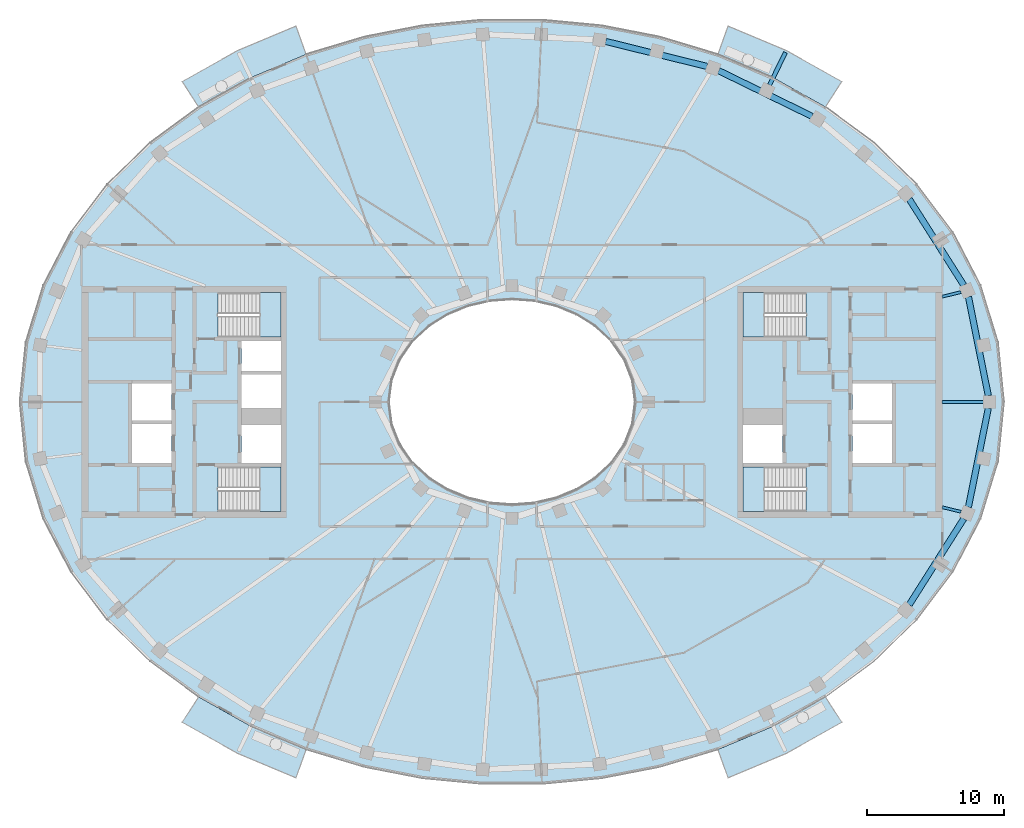
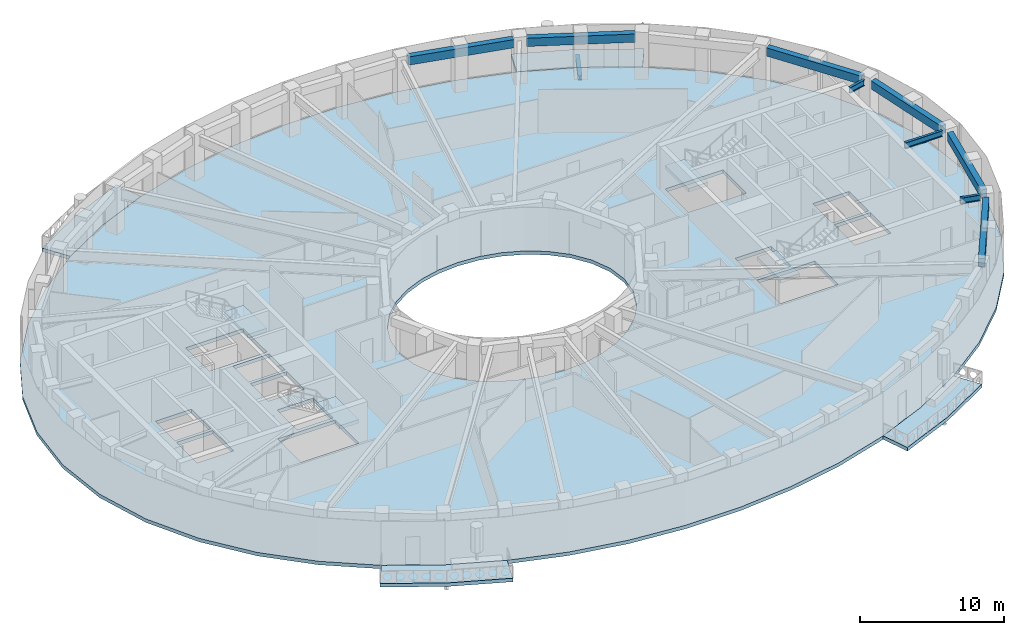
# One storey, part 2 of 15: 10 beams, 9 slabs, 4 elements without a shape of their own.
"""IFC4 building model written with IfcOpenShell, lengths in metres."""

from ifc_helpers import new_model, si_unit, direction, frame, origin, origin_2d, place, context, subcontext, project, spatial, polyline, rectangle, i_section, outline, extrude, material, layer, layer_set, material_profile, profile_set, type_object, element, aggregate, save


model = new_model("IFC4")

# Units and contexts
model_context = context("Model", 3, precision=1e-05, world=origin(), true_north=direction((0.0, 1.0)))
body_context = subcontext(model_context, "Body", "Model", "MODEL_VIEW")
ifc_project = project(units=[si_unit("LENGTHUNIT", "METRE"), si_unit("AREAUNIT", "SQUARE_METRE"), si_unit("VOLUMEUNIT", "CUBIC_METRE"), si_unit("PLANEANGLEUNIT", "RADIAN"), si_unit("MASSUNIT", "GRAM", prefix="KILO")], contexts=[model_context])

# Site, building, storey
site_placement = place(None, origin())
site = spatial("IfcSite", under=ifc_project, at=site_placement, CompositionType="ELEMENT")
building_placement = place(site_placement, origin())
building = spatial("IfcBuilding", under=site, at=building_placement, Name="Noorbagh Ring Tower", CompositionType="ELEMENT")
storey_placement = place(building_placement, frame((0.0, 0.0, 307.0)))
storey = spatial("IfcBuildingStorey", under=building, at=storey_placement, Name="L66", CompositionType="ELEMENT", Elevation=307.0)

# Beams
ifc_material_1 = material(Name="Steel S355", Category="steel")
ifc_material_profile_1 = material_profile(ifc_material_1, i_section(OverallWidth=0.300048828125, OverallDepth=0.39990234375, WebThickness=0.013427734375, FlangeThickness=0.02392578125, FilletRadius=0.027099609375, at=origin_2d()), Name="HEB400")
ifc_profile_set_1 = profile_set([ifc_material_profile_1], Name="Steel S355")
beam_type_1 = type_object("IfcBeamType", Name="STR-BALCONY-BRACKET-HEB400", PredefinedType="BEAM", material=ifc_profile_set_1)
beam_1_placement = place(storey_placement, frame((18.84619140625, 23.194091796875, -0.5), z_axis=(0.439236567713, 0.898371436313, 0.0), x_axis=(-0.898371436313, 0.439236567713, 0.0)))
element("IfcBeam", 1, at=beam_1_placement, inside=storey, type_object=beam_type_1, Name="Balcony bracket beam BN02", PredefinedType="BEAM", context=body_context, shape_type="SweptSolid", body=[
    extrude(i_section(OverallWidth=0.300048828125, OverallDepth=0.39990234375, WebThickness=0.013427734375, FlangeThickness=0.02392578125, FilletRadius=0.027099609375, at=origin_2d()), origin(), (0.0, 0.0, 1.0), 2.650146484375),
])
ifc_material_2 = material(Name="Steel S355", Category="steel")
ifc_material_profile_2 = material_profile(ifc_material_2, i_section(OverallWidth=0.199951171875, OverallDepth=0.5, WebThickness=0.01025390625, FlangeThickness=0.01611328125, FilletRadius=0.02099609375, at=origin_2d()), Name="IPE500")
ifc_profile_set_2 = profile_set([ifc_material_profile_2], Name="Steel S355")
beam_type_2 = type_object("IfcBeamType", Name="STR-RAD-IPE500", PredefinedType="BEAM", material=ifc_profile_set_2)
beam_2_placement = place(storey_placement, frame((34.48974609375, 0.0, 3.449951171875), z_axis=(-1.0, 0.0, 0.0), x_axis=(0.0, -1.0, 0.0)))
element("IfcBeam", 2, at=beam_2_placement, inside=storey, type_object=beam_type_2, Name="L66/bm/RD01", PredefinedType="BEAM", context=body_context, shape_type="SweptSolid", body=[
    extrude(i_section(OverallWidth=0.199951171875, OverallDepth=0.5, WebThickness=0.01025390625, FlangeThickness=0.01611328125, FilletRadius=0.02099609375, at=origin_2d()), origin(), (0.0, 0.0, 1.0), 3.009765625),
])
for number, where, z_axis, x_axis, name in (
    (3, (32.858154296875, 8.0400390625, 3.449951171875), (-0.971335445274, -0.237712962949, 0.0), (0.237712962949, -0.971335445274, 0.0), "L66/bm/RD03"),
    (4, (32.858154296875, -8.0400390625, 3.449951171875), (-0.971335445274, 0.237712962949, 0.0), (-0.237712962949, -0.971335445274, 0.0), "L66/bm/RD45"),
):
    element("IfcBeam", number, at=place(storey_placement, frame(where, z_axis=z_axis, x_axis=x_axis)), inside=storey, type_object=beam_type_2, Name=name, PredefinedType="BEAM", context=body_context, shape_type="SweptSolid", body=[
        extrude(i_section(OverallWidth=0.199951171875, OverallDepth=0.5, WebThickness=0.01025390625, FlangeThickness=0.01611328125, FilletRadius=0.02099609375, at=origin_2d()), origin(), (0.0, 0.0, 1.0), 1.41845703125),
    ])
ifc_material_3 = material(Name="Concrete C40/50", Category="concrete")
ifc_material_profile_3 = material_profile(ifc_material_3, rectangle(XDim=0.449951171875, YDim=0.699951171875, at=origin_2d()), Name="RC450x700")
ifc_profile_set_3 = profile_set([ifc_material_profile_3], Name="Concrete C40/50")
beam_type_3 = type_object("IfcBeamType", Name="STR-SB-RC450x700-C40-50", PredefinedType="BEAM", material=ifc_profile_set_3)
beam_3_placement = place(storey_placement, frame((34.85302734375, 0.455322265625, 3.35009765625), z_axis=(-0.197209573264, 0.980361353896, 0.0), x_axis=(-0.980361353896, -0.197209573264, 0.0)))
element("IfcBeam", 5, at=beam_3_placement, inside=storey, type_object=beam_type_3, Name="L66/bm/SP01", PredefinedType="BEAM", context=body_context, shape_type="SweptSolid", body=[
    extrude(rectangle(XDim=0.449951171875, YDim=0.699951171875, at=origin_2d()), origin(), (0.0, 0.0, 1.0), 7.384521484375),
])
beam_4_placement = place(storey_placement, frame((33.0576171875, 8.5400390625, 3.35009765625), z_axis=(-0.535175885378, 0.84474065352, 0.0), x_axis=(-0.84474065352, -0.535175885378, 0.0)))
element("IfcBeam", 6, at=beam_4_placement, inside=storey, type_object=beam_type_3, Name="L66/bm/SP03", PredefinedType="BEAM", context=body_context, shape_type="SweptSolid", body=[
    extrude(rectangle(XDim=0.449951171875, YDim=0.699951171875, at=origin_2d()), origin(), (0.0, 0.0, 1.0), 7.459228515625),
])
beam_5_placement = place(storey_placement, frame((21.9501953125, 20.9013671875, 3.35009765625), z_axis=(-0.898405762579, 0.43916635318, 0.0), x_axis=(-0.43916635318, -0.898405762579, 0.0)))
element("IfcBeam", 7, at=beam_5_placement, inside=storey, type_object=beam_type_3, Name="L66/bm/SP07", PredefinedType="BEAM", context=body_context, shape_type="SweptSolid", body=[
    extrude(rectangle(XDim=0.449951171875, YDim=0.699951171875, at=origin_2d()), origin(), (0.0, 0.0, 1.0), 7.6015625),
])
beam_6_placement = place(storey_placement, frame((14.265380859375, 24.550537109375, 3.35009765625), z_axis=(-0.970830763324, 0.239765779427, 0.0), x_axis=(-0.239765779427, -0.970830763324, 0.0)))
element("IfcBeam", 8, at=beam_6_placement, inside=storey, type_object=beam_type_3, Name="L66/bm/SP09", PredefinedType="BEAM", context=body_context, shape_type="SweptSolid", body=[
    extrude(rectangle(XDim=0.449951171875, YDim=0.699951171875, at=origin_2d()), origin(), (0.0, 0.0, 1.0), 7.634765625),
])
beam_7_placement = place(storey_placement, frame((29.065673828125, -14.841064453125, 3.35009765625), z_axis=(0.535175885378, 0.84474065352, 0.0), x_axis=(-0.84474065352, 0.535175885378, 0.0)))
element("IfcBeam", 9, at=beam_7_placement, inside=storey, type_object=beam_type_3, Name="L66/bm/SP43", PredefinedType="BEAM", context=body_context, shape_type="SweptSolid", body=[
    extrude(rectangle(XDim=0.449951171875, YDim=0.699951171875, at=origin_2d()), origin(), (0.0, 0.0, 1.0), 7.459228515625),
])
beam_8_placement = place(storey_placement, frame((33.396728515625, -7.69482421875, 3.35009765625), z_axis=(0.197209573264, 0.980361353896, 0.0), x_axis=(-0.980361353896, 0.197209573264, 0.0)))
element("IfcBeam", 10, at=beam_8_placement, inside=storey, type_object=beam_type_3, Name="L66/bm/SP45", PredefinedType="BEAM", context=body_context, shape_type="SweptSolid", body=[
    extrude(rectangle(XDim=0.449951171875, YDim=0.699951171875, at=origin_2d()), origin(), (0.0, 0.0, 1.0), 7.384521484375),
])

# Stair, slab
ifc_material_4 = material(Name="Concrete C40/50", Category="concrete")
stair_type = type_object("IfcStairType", Name="CORE-STAIR", PredefinedType="HALF_TURN_STAIR", material=ifc_material_4)
stair_1_placement = place(storey_placement, origin())
stair_1 = element("IfcStair", 11, at=stair_1_placement, inside=storey, type_object=stair_type, Name="L66 Exit stair ST1", PredefinedType="HALF_TURN_STAIR")
ifc_material_5 = material(Name="Concrete C40/50", Category="concrete")
ifc_layer_1 = layer(ifc_material_5, 0.300048828125)
ifc_layer_set_1 = layer_set([ifc_layer_1], Name="Concrete C40/50")
slab_type_1 = type_object("IfcSlabType", Name="CORE-STAIR-LANDING", PredefinedType="LANDING", material=ifc_layer_set_1)
slab_1_placement = place(storey_placement, frame((0.0, 0.0, 1.699951171875)))
slab_1 = element("IfcSlab", 12, at=slab_1_placement, type_object=slab_type_1, Name="ST1 landing 1", PredefinedType="LANDING", context=body_context, shape_type="SweptSolid", body=[
    extrude(outline(polyline([(-18.449951171875, 4.75), (-16.89990234375, 4.75), (-16.89990234375, 8.0), (-18.449951171875, 8.0), (-18.449951171875, 4.75)])), origin(), (0.0, 0.0, 1.0), 0.300048828125),
])
aggregate(stair_1, [slab_1])

stair_2_placement = place(storey_placement, origin())
stair_2 = element("IfcStair", 13, at=stair_2_placement, inside=storey, type_object=stair_type, Name="L66 Exit stair ST2", PredefinedType="HALF_TURN_STAIR")
slab_2_placement = place(storey_placement, frame((0.0, 0.0, 1.699951171875)))
slab_2 = element("IfcSlab", 14, at=slab_2_placement, type_object=slab_type_1, Name="ST2 landing 1", PredefinedType="LANDING", context=body_context, shape_type="SweptSolid", body=[
    extrude(outline(polyline([(-18.449951171875, -8.0), (-16.89990234375, -8.0), (-16.89990234375, -4.75), (-18.449951171875, -4.75), (-18.449951171875, -8.0)])), origin(), (0.0, 0.0, 1.0), 0.300048828125),
])
aggregate(stair_2, [slab_2])

stair_3_placement = place(storey_placement, origin())
stair_3 = element("IfcStair", 15, at=stair_3_placement, inside=storey, type_object=stair_type, Name="L66 Exit stair ST3", PredefinedType="HALF_TURN_STAIR")
slab_3_placement = place(storey_placement, frame((0.0, 0.0, 1.699951171875)))
slab_3 = element("IfcSlab", 16, at=slab_3_placement, type_object=slab_type_1, Name="ST3 landing 1", PredefinedType="LANDING", context=body_context, shape_type="SweptSolid", body=[
    extrude(outline(polyline([(18.449951171875, 8.0), (16.89990234375, 8.0), (16.89990234375, 4.75), (18.449951171875, 4.75), (18.449951171875, 8.0)])), origin(), (0.0, 0.0, 1.0), 0.300048828125),
])
aggregate(stair_3, [slab_3])

stair_4_placement = place(storey_placement, origin())
stair_4 = element("IfcStair", 17, at=stair_4_placement, inside=storey, type_object=stair_type, Name="L66 Exit stair ST4", PredefinedType="HALF_TURN_STAIR")
slab_4_placement = place(storey_placement, frame((0.0, 0.0, 1.699951171875)))
slab_4 = element("IfcSlab", 18, at=slab_4_placement, type_object=slab_type_1, Name="ST4 landing 1", PredefinedType="LANDING", context=body_context, shape_type="SweptSolid", body=[
    extrude(outline(polyline([(18.449951171875, -4.75), (16.89990234375, -4.75), (16.89990234375, -8.0), (18.449951171875, -8.0), (18.449951171875, -4.75)])), origin(), (0.0, 0.0, 1.0), 0.300048828125),
])
aggregate(stair_4, [slab_4])

# Slabs
ifc_material_6 = material(Name="Concrete C40/50", Category="concrete")
ifc_layer_2 = layer(ifc_material_6, 0.300048828125)
ifc_layer_set_2 = layer_set([ifc_layer_2], Name="Concrete C40/50")
slab_type_2 = type_object("IfcSlabType", Name="ENV-BALCONY DECK 300", PredefinedType="FLOOR", material=ifc_layer_set_2)
slab_5_placement = place(storey_placement, frame((0.0, 0.0, -0.300048828125)))
element("IfcSlab", 19, at=slab_5_placement, inside=storey, type_object=slab_type_2, Name="Tree balcony deck BN02", PredefinedType="FLOOR", context=body_context, shape_type="SweptSolid", body=[
    extrude(outline(polyline([(24.1279296875, 23.435791015625), (20.076171875, 25.709716796875), (15.810791015625, 27.50341796875), (15.0654296875, 25.430419921875), (19.108154296875, 23.730224609375), (22.9326171875, 21.583740234375), (24.1279296875, 23.435791015625)])), origin(), (0.0, 0.0, 1.0), 0.300048828125),
])
slab_6_placement = place(storey_placement, frame((0.0, 0.0, -0.300048828125)))
element("IfcSlab", 20, at=slab_6_placement, inside=storey, type_object=slab_type_2, Name="Tree balcony deck BN05", PredefinedType="FLOOR", context=body_context, shape_type="SweptSolid", body=[
    extrude(outline(polyline([(-15.810791015625, 27.50341796875), (-20.076171875, 25.709716796875), (-24.1279296875, 23.435791015625), (-22.9326171875, 21.583740234375), (-19.108154296875, 23.730224609375), (-15.0654296875, 25.430419921875), (-15.810791015625, 27.50341796875)])), origin(), (0.0, 0.0, 1.0), 0.300048828125),
])
slab_7_placement = place(storey_placement, frame((0.0, 0.0, -0.300048828125)))
element("IfcSlab", 21, at=slab_7_placement, inside=storey, type_object=slab_type_2, Name="Tree balcony deck BS02", PredefinedType="FLOOR", context=body_context, shape_type="SweptSolid", body=[
    extrude(outline(polyline([(-24.1279296875, -23.435791015625), (-20.076171875, -25.709716796875), (-15.810791015625, -27.50341796875), (-15.0654296875, -25.430419921875), (-19.108154296875, -23.730224609375), (-22.9326171875, -21.583740234375), (-24.1279296875, -23.435791015625)])), origin(), (0.0, 0.0, 1.0), 0.300048828125),
])
slab_8_placement = place(storey_placement, frame((0.0, 0.0, -0.300048828125)))
element("IfcSlab", 22, at=slab_8_placement, inside=storey, type_object=slab_type_2, Name="Tree balcony deck BS05", PredefinedType="FLOOR", context=body_context, shape_type="SweptSolid", body=[
    extrude(outline(polyline([(15.810791015625, -27.50341796875), (20.076171875, -25.709716796875), (24.1279296875, -23.435791015625), (22.9326171875, -21.583740234375), (19.108154296875, -23.730224609375), (15.0654296875, -25.430419921875), (15.810791015625, -27.50341796875)])), origin(), (0.0, 0.0, 1.0), 0.300048828125),
])
ifc_material_7 = material(Name="Concrete C40/50", Category="concrete")
ifc_layer_3 = layer(ifc_material_7, 0.300048828125)
ifc_layer_set_3 = layer_set([ifc_layer_3], Name="Concrete C40/50")
slab_type_3 = type_object("IfcSlabType", Name="STR-FLOOR-DECK-300", PredefinedType="FLOOR", material=ifc_layer_set_3)
slab_9_placement = place(storey_placement, frame((0.0, 0.0, -0.300048828125)))
element("IfcSlab", 23, at=slab_9_placement, inside=storey, type_object=slab_type_3, Name="L66/slab/1", PredefinedType="FLOOR", context=body_context, shape_type="SweptSolid", body=[
    extrude(outline(polyline([(36.0, 0.0), (35.56103515625, 4.358642578125), (34.281005859375, 8.548828125), (32.255126953125, 12.434814453125), (29.607666015625, 15.92822265625), (26.463134765625, 18.983154296875), (22.9326171875, 21.583740234375), (19.108154296875, 23.730224609375), (15.0654296875, 25.430419921875), (10.865234375, 26.6943359375), (6.5595703125, 27.53125), (2.193115234375, 27.947998046875), (-2.193115234375, 27.947998046875), (-6.5595703125, 27.53125), (-10.865234375, 26.6943359375), (-15.0654296875, 25.430419921875), (-19.108154296875, 23.730224609375), (-22.9326171875, 21.583740234375), (-26.463134765625, 18.983154296875), (-29.607666015625, 15.92822265625), (-32.255126953125, 12.434814453125), (-34.281005859375, 8.548828125), (-35.56103515625, 4.358642578125), (-36.0, 0.0), (-35.56103515625, -4.358642578125), (-34.281005859375, -8.548828125), (-32.255126953125, -12.434814453125), (-29.607666015625, -15.92822265625), (-26.463134765625, -18.983154296875), (-22.9326171875, -21.583740234375), (-19.108154296875, -23.730224609375), (-15.0654296875, -25.430419921875), (-10.865234375, -26.6943359375), (-6.5595703125, -27.53125), (-2.193115234375, -27.947998046875), (2.193115234375, -27.947998046875), (6.5595703125, -27.53125), (10.865234375, -26.6943359375), (15.0654296875, -25.430419921875), (19.108154296875, -23.730224609375), (22.9326171875, -21.583740234375), (26.463134765625, -18.983154296875), (29.607666015625, -15.92822265625), (32.255126953125, -12.434814453125), (34.281005859375, -8.548828125), (35.56103515625, -4.358642578125), (36.0, 0.0)]), holes=[polyline([(24.89990234375, -1.60009765625), (27.800048828125, -1.60009765625), (27.800048828125, -4.449951171875), (24.89990234375, -4.449951171875), (24.89990234375, -1.60009765625)]), polyline([(24.89990234375, 1.35009765625), (27.800048828125, 1.35009765625), (27.800048828125, -1.35009765625), (24.89990234375, -1.35009765625), (24.89990234375, 1.35009765625)]), polyline([(21.529541015625, -8.0), (16.89990234375, -8.0), (16.89990234375, -4.75), (21.529541015625, -4.75), (21.529541015625, -8.0)]), polyline([(21.529541015625, 4.75), (16.89990234375, 4.75), (16.89990234375, 8.0), (21.529541015625, 8.0), (21.529541015625, 4.75)]), polyline([(16.89990234375, -1.699951171875), (19.800048828125, -1.699951171875), (19.800048828125, -4.449951171875), (16.89990234375, -4.449951171875), (16.89990234375, -1.699951171875)]), polyline([(4.697509765625, -6.3974609375), (3.196533203125, -7.010986328125), (1.6171875, -7.3779296875), (0.0, -7.5), (-1.6171875, -7.3779296875), (-3.196533203125, -7.010986328125), (-4.697509765625, -6.3974609375), (-6.071044921875, -5.53662109375), (-7.2587890625, -4.43408203125), (-8.1904296875, -3.10888671875), (-8.79150390625, -1.605224609375), (-9.0, 0.0), (-8.79150390625, 1.605224609375), (-8.1904296875, 3.10888671875), (-7.2587890625, 4.43408203125), (-6.071044921875, 5.53662109375), (-4.697509765625, 6.3974609375), (-3.196533203125, 7.010986328125), (-1.6171875, 7.3779296875), (0.0, 7.5), (1.6171875, 7.3779296875), (3.196533203125, 7.010986328125), (4.697509765625, 6.3974609375), (6.071044921875, 5.53662109375), (7.2587890625, 4.43408203125), (8.1904296875, 3.10888671875), (8.79150390625, 1.605224609375), (9.0, 0.0), (8.79150390625, -1.605224609375), (8.1904296875, -3.10888671875), (7.2587890625, -4.43408203125), (6.071044921875, -5.53662109375), (4.697509765625, -6.3974609375)]), polyline([(-21.529541015625, -8.0), (-21.529541015625, -4.75), (-16.89990234375, -4.75), (-16.89990234375, -8.0), (-21.529541015625, -8.0)]), polyline([(-21.529541015625, 4.75), (-21.529541015625, 8.0), (-16.89990234375, 8.0), (-16.89990234375, 4.75), (-21.529541015625, 4.75)]), polyline([(-16.89990234375, -4.449951171875), (-19.800048828125, -4.449951171875), (-19.800048828125, -1.699951171875), (-16.89990234375, -1.699951171875), (-16.89990234375, -4.449951171875)]), polyline([(-16.89990234375, -0.449951171875), (-19.800048828125, -0.449951171875), (-19.800048828125, 2.0), (-16.89990234375, 2.0), (-16.89990234375, -0.449951171875)]), polyline([(-16.89990234375, 2.25), (-19.800048828125, 2.25), (-19.800048828125, 4.449951171875), (-16.89990234375, 4.449951171875), (-16.89990234375, 2.25)]), polyline([(-24.89990234375, -4.449951171875), (-27.800048828125, -4.449951171875), (-27.800048828125, -1.60009765625), (-24.89990234375, -1.60009765625), (-24.89990234375, -4.449951171875)]), polyline([(-24.89990234375, 1.35009765625), (-24.89990234375, -1.35009765625), (-27.800048828125, -1.35009765625), (-27.800048828125, 1.35009765625), (-24.89990234375, 1.35009765625)])]), origin(), (0.0, 0.0, 1.0), 0.300048828125),
])

save(model, "model.ifc")
